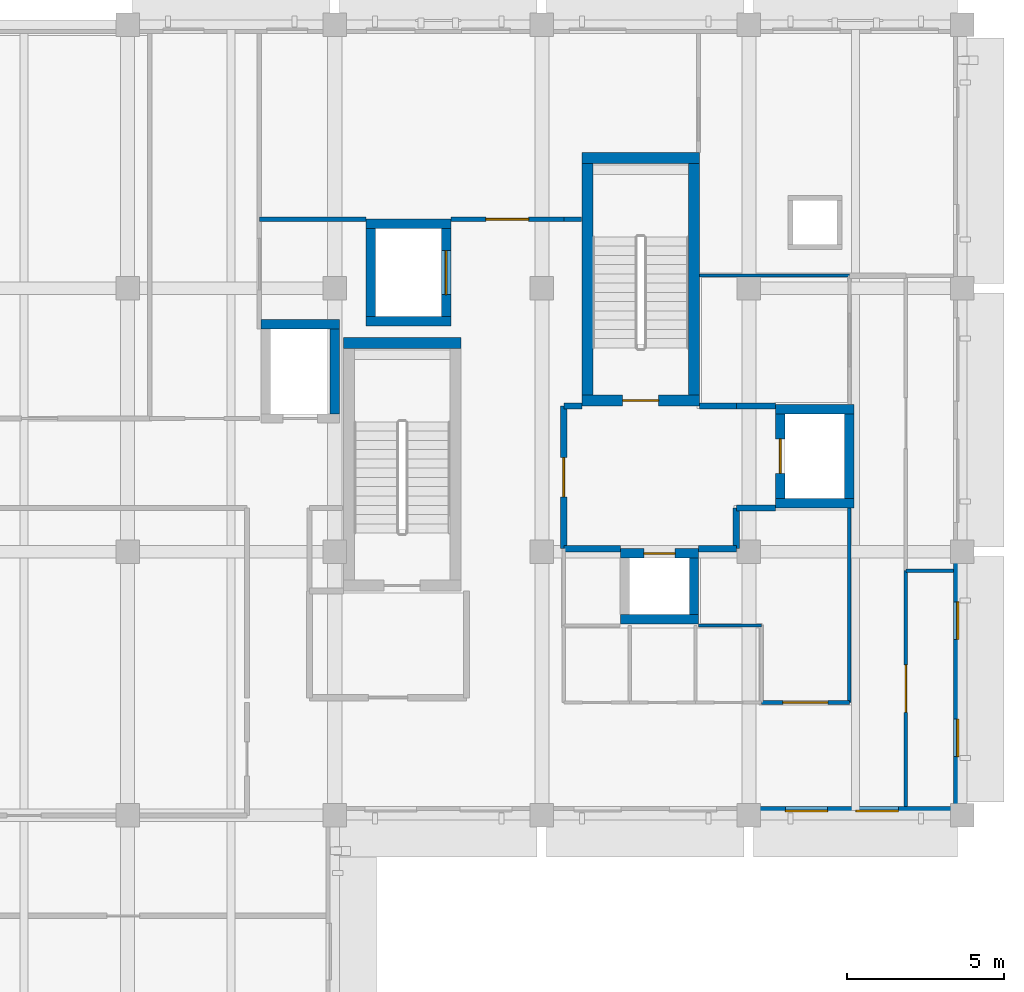
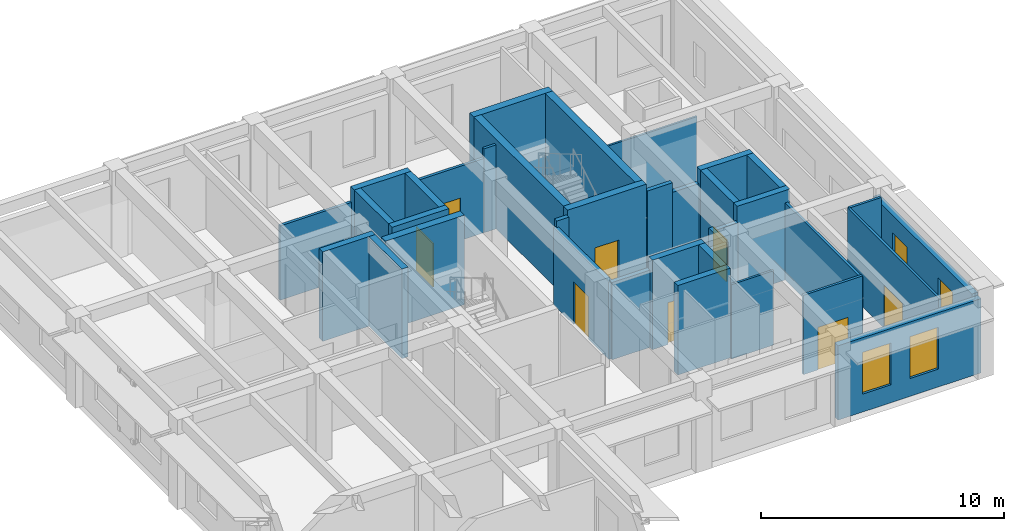
# One storey, part 12 of 20: 37 walls, 8 doors, 4 windows, 12 openings.
"""IFC4 building model written with IfcOpenShell, lengths in metres."""

from ifc_helpers import new_model, si_unit, direction, frame, frame_2d, origin, place, context, subcontext, project, spatial, rectangle, extrude, material, layer, layer_set, type_object, element, fill, save


model = new_model("IFC4")

# Units and contexts
model_context = context("Model", 3, precision=1e-05, world=origin(), true_north=direction((0.0, 1.0)))
body_context = subcontext(model_context, "Body", "Model", "MODEL_VIEW")
ifc_project = project(units=[si_unit("LENGTHUNIT", "METRE"), si_unit("AREAUNIT", "SQUARE_METRE"), si_unit("VOLUMEUNIT", "CUBIC_METRE"), si_unit("PLANEANGLEUNIT", "RADIAN"), si_unit("MASSUNIT", "GRAM", prefix="KILO")], contexts=[model_context])

# Site, building, storey
site_placement = place(None, origin())
site = spatial("IfcSite", under=ifc_project, at=site_placement, CompositionType="ELEMENT")
building_placement = place(site_placement, origin())
building = spatial("IfcBuilding", under=site, at=building_placement, Name="Kolvaren Faculty of Natural Sciences", CompositionType="ELEMENT")
storey_placement = place(building_placement, frame((0.0, 0.0, 24.0)))
storey = spatial("IfcBuildingStorey", under=building, at=storey_placement, Name="L05", CompositionType="ELEMENT", Elevation=24.0)

# Wall, opening, door
ifc_material_1 = material(Name="Concrete C40/50", Category="concrete")
ifc_layer_1 = layer(ifc_material_1, 0.35009765625)
ifc_layer_set_1 = layer_set([ifc_layer_1], Name="Concrete C40/50")
wall_type_1 = type_object("IfcWallType", Name="CoreShearWall_350", PredefinedType="SHEAR", material=ifc_layer_set_1)
wall_1_placement = place(storey_placement, frame((159.875, 72.22509765625, 0.0), z_axis=(0.0, 0.0, 1.0), x_axis=(1.0, 0.0, 0.0)))
wall_1 = element("IfcWall", 1, at=wall_1_placement, inside=storey, type_object=wall_type_1, Name="L05 CORE-C1 stair shear wall S", PredefinedType="SHEAR", context=body_context, shape_type="SweptSolid", body=[
    extrude(rectangle(XDim=3.75, YDim=0.35009765625, at=frame_2d((1.875, 0.0))), origin(), (0.0, 0.0, 1.0), 4.5),
])
opening_1_placement = place(wall_1_placement, frame((1.300048828125, 0.0, 0.0)))
opening_1 = element("IfcOpeningElement", 2, at=opening_1_placement, cuts=wall_1, Name="Opening FD90", PredefinedType="OPENING", context=body_context, shape_type="SweptSolid", body=[
    extrude(rectangle(XDim=1.14990234375, YDim=2.14990234375, at=frame_2d((0.574951171875, 1.074951171875))), frame((0.0, 0.18505859375, 0.0), z_axis=(0.0, -1.0, 0.0), x_axis=(1.0, 0.0, 0.0)), (0.0, 0.0, 1.0), 0.3701171875),
])
ifc_material_2 = material(Name="Fire-rated solid-core hardwood door leaf in steel frame", Category="steel")
door_type_1 = type_object("IfcDoorType", Name="StairCoreFireDoor_1150x2150", OperationType="NOTDEFINED", PredefinedType="DOOR", material=ifc_material_2)
door_1_placement = place(opening_1_placement, origin())
door_1 = element("IfcDoor", 3, at=door_1_placement, inside=storey, type_object=door_type_1, Name="D-ST-ST-1-L05", OperationType="SINGLE_SWING_LEFT", OverallHeight=2.14990234375, OverallWidth=1.14990234375, PredefinedType="DOOR", context=body_context, shape_type="SweptSolid", body=[
    extrude(rectangle(XDim=1.14990234375, YDim=2.14990234375, at=frame_2d((0.574951171875, 1.074951171875))), frame((0.0, 0.02490234375, 0.0), z_axis=(0.0, -1.0, 0.0), x_axis=(1.0, 0.0, 0.0)), (0.0, 0.0, 1.0), 0.050048828125),
])
fill(opening_1, door_1)

# Walls
wall_2_placement = place(storey_placement, frame((159.875, 79.949951171875, 0.0), z_axis=(0.0, 0.0, 1.0), x_axis=(1.0, 0.0, 0.0)))
element("IfcWall", 4, at=wall_2_placement, inside=storey, type_object=wall_type_1, Name="L05 CORE-C1 stair shear wall N", PredefinedType="SHEAR", context=body_context, shape_type="SweptSolid", body=[
    extrude(rectangle(XDim=3.75, YDim=0.35009765625, at=frame_2d((1.875, 0.0))), origin(), (0.0, 0.0, 1.0), 4.5),
])
for number, where, z_axis, x_axis, name in (
    (5, (160.050048828125, 72.39990234375, 0.0), (0.0, 0.0, 1.0), (0.0, 1.0, 0.0), "L05 CORE-C1 stair shear wall W"),
    (6, (163.449951171875, 72.39990234375, 0.0), (0.0, 0.0, 1.0), (0.0, 1.0, 0.0), "L05 CORE-C1 stair shear wall E"),
):
    element("IfcWall", number, at=place(storey_placement, frame(where, z_axis=z_axis, x_axis=x_axis)), inside=storey, type_object=wall_type_1, Name=name, PredefinedType="SHEAR", context=body_context, shape_type="SweptSolid", body=[
        extrude(rectangle(XDim=7.375, YDim=0.35009765625, at=frame_2d((3.6875, 0.0))), origin(), (0.0, 0.0, 1.0), 4.5),
    ])
wall_3_placement = place(storey_placement, frame((152.27490234375, 74.050048828125, 0.0), z_axis=(0.0, 0.0, 1.0), x_axis=(1.0, 0.0, 0.0)))
element("IfcWall", 7, at=wall_3_placement, inside=storey, type_object=wall_type_1, Name="L05 CORE-C2 stair shear wall N", PredefinedType="SHEAR", context=body_context, shape_type="SweptSolid", body=[
    extrude(rectangle(XDim=3.75, YDim=0.35009765625, at=frame_2d((1.875, 0.0))), origin(), (0.0, 0.0, 1.0), 4.5),
])
ifc_material_3 = material(Name="Acoustic mineral-wool insulated gypsum partition")
ifc_layer_2 = layer(ifc_material_3, 0.094970703125)
ifc_layer_set_2 = layer_set([ifc_layer_2], Name="Acoustic mineral-wool insulated gypsum partition")
wall_type_2 = type_object("IfcWallType", Name="CubiclePartition_095", PredefinedType="PARTITIONING", material=ifc_layer_set_2)
wall_4_placement = place(storey_placement, frame((163.626953125, 76.199951171875, 0.0), z_axis=(0.0, 0.0, 1.0), x_axis=(1.0, 0.0, 0.0)))
element("IfcWall", 8, at=wall_4_placement, inside=storey, type_object=wall_type_2, Name="L05 interior partition PW-095", PredefinedType="PARTITIONING", context=body_context, shape_type="SweptSolid", body=[
    extrude(rectangle(XDim=4.77294921875, YDim=0.094970703125, at=frame_2d((2.386474609375, 0.0))), origin(), (0.0, 0.0, 1.0), 3.735107421875),
])

# Wall, openings, windows
ifc_material_4 = material(Name="Precast concrete C35/45", Category="concrete")
ifc_layer_3 = layer(ifc_material_4, 0.280029296875)
ifc_layer_set_3 = layer_set([ifc_layer_3], Name="Precast concrete C35/45")
wall_type_3 = type_object("IfcWallType", Name="ExteriorPrecastWall_280", PredefinedType="STANDARD", material=ifc_layer_set_3)
wall_5_placement = place(storey_placement, frame((171.860107421875, 67.39990234375, 0.0), z_axis=(0.0, 0.0, 1.0), x_axis=(0.0, -1.0, 0.0)))
wall_5 = element("IfcWall", 9, at=wall_5_placement, inside=storey, type_object=wall_type_3, Name="L05 exterior masonry wall EW-280 (650)", PredefinedType="STANDARD", context=body_context, shape_type="SweptSolid", body=[
    extrude(rectangle(XDim=8.119873046875, YDim=0.280029296875, at=frame_2d((4.06005859375, 0.0))), origin(), (0.0, 0.0, 1.0), 3.885009765625),
])
opening_2_placement = place(wall_5_placement, frame((1.59228515625, 0.0, 0.89990234375)))
opening_2 = element("IfcOpeningElement", 10, at=opening_2_placement, cuts=wall_5, Name="Opening WIN-01", PredefinedType="OPENING", context=body_context, shape_type="SweptSolid", body=[
    extrude(rectangle(XDim=1.199951171875, YDim=2.10009765625, at=frame_2d((0.60009765625, 1.050048828125))), frame((0.0, 0.14990234375, 0.0), z_axis=(0.0, -1.0, 0.0), x_axis=(1.0, 0.0, 0.0)), (0.0, 0.0, 1.0), 0.300048828125),
])
opening_3_placement = place(wall_5_placement, frame((5.32763671875, 0.0, 0.89990234375)))
opening_3 = element("IfcOpeningElement", 11, at=opening_3_placement, cuts=wall_5, Name="Opening WIN-01", PredefinedType="OPENING", context=body_context, shape_type="SweptSolid", body=[
    extrude(rectangle(XDim=1.199951171875, YDim=2.10009765625, at=frame_2d((0.60009765625, 1.050048828125))), frame((0.0, 0.14990234375, 0.0), z_axis=(0.0, -1.0, 0.0), x_axis=(1.0, 0.0, 0.0)), (0.0, 0.0, 1.0), 0.300048828125),
])
ifc_material_5 = material(Name="Double low-E solar control insulated glazing", Category="glass")
window_type_1 = type_object("IfcWindowType", Name="AluWindow_WIN01_1200x2100", PartitioningType="SINGLE_PANEL", PredefinedType="WINDOW", material=ifc_material_5)
window_1_placement = place(opening_2_placement, origin())
window_1 = element("IfcWindow", 12, at=window_1_placement, inside=storey, type_object=window_type_1, Name="WIN-L05-0461", OverallHeight=2.10009765625, OverallWidth=1.199951171875, PartitioningType="SINGLE_PANEL", PredefinedType="WINDOW", context=body_context, shape_type="SweptSolid", body=[
    extrude(rectangle(XDim=1.199951171875, YDim=2.10009765625, at=frame_2d((0.60009765625, 1.050048828125))), frame((0.0, 0.030029296875, 0.0), z_axis=(0.0, -1.0, 0.0), x_axis=(1.0, 0.0, 0.0)), (0.0, 0.0, 1.0), 0.06005859375),
])
fill(opening_2, window_1)
window_2_placement = place(opening_3_placement, origin())
window_2 = element("IfcWindow", 13, at=window_2_placement, inside=storey, type_object=window_type_1, Name="WIN-L05-0462", OverallHeight=2.10009765625, OverallWidth=1.199951171875, PartitioningType="SINGLE_PANEL", PredefinedType="WINDOW", context=body_context, shape_type="SweptSolid", body=[
    extrude(rectangle(XDim=1.199951171875, YDim=2.10009765625, at=frame_2d((0.60009765625, 1.050048828125))), frame((0.0, 0.030029296875, 0.0), z_axis=(0.0, -1.0, 0.0), x_axis=(1.0, 0.0, 0.0)), (0.0, 0.0, 1.0), 0.06005859375),
])
fill(opening_3, window_2)

wall_6_placement = place(storey_placement, frame((172.0, 59.139892578125, 0.0), z_axis=(0.0, 0.0, 1.0), x_axis=(-1.0, 0.0, 0.0)))
wall_6 = element("IfcWall", 14, at=wall_6_placement, inside=storey, type_object=wall_type_3, Name="L05 exterior masonry wall EW-280 (651)", PredefinedType="STANDARD", context=body_context, shape_type="SweptSolid", body=[
    extrude(rectangle(XDim=6.800048828125, YDim=0.280029296875, at=frame_2d((3.39990234375, 0.0))), origin(), (0.0, 0.0, 1.0), 3.735107421875),
])
opening_4_placement = place(wall_6_placement, frame((2.0400390625, 0.0, 0.89990234375)))
opening_4 = element("IfcOpeningElement", 15, at=opening_4_placement, cuts=wall_6, Name="Opening WIN-02", PredefinedType="OPENING", context=body_context, shape_type="SweptSolid", body=[
    extrude(rectangle(XDim=1.35009765625, YDim=2.10009765625, at=frame_2d((0.675048828125, 1.050048828125))), frame((0.0, 0.14990234375, 0.0), z_axis=(0.0, -1.0, 0.0), x_axis=(1.0, 0.0, 0.0)), (0.0, 0.0, 1.0), 0.300048828125),
])
opening_5_placement = place(wall_6_placement, frame((4.2890625, 0.0, 0.89990234375)))
opening_5 = element("IfcOpeningElement", 16, at=opening_5_placement, cuts=wall_6, Name="Opening WIN-02", PredefinedType="OPENING", context=body_context, shape_type="SweptSolid", body=[
    extrude(rectangle(XDim=1.35009765625, YDim=2.10009765625, at=frame_2d((0.675048828125, 1.050048828125))), frame((0.0, 0.14990234375, 0.0), z_axis=(0.0, -1.0, 0.0), x_axis=(1.0, 0.0, 0.0)), (0.0, 0.0, 1.0), 0.300048828125),
])
window_type_2 = type_object("IfcWindowType", Name="AluWindow_WIN02_1350x2100", PartitioningType="SINGLE_PANEL", PredefinedType="WINDOW", material=ifc_material_5)
window_3_placement = place(opening_4_placement, origin())
window_3 = element("IfcWindow", 17, at=window_3_placement, inside=storey, type_object=window_type_2, Name="WIN-L05-0463", OverallHeight=2.10009765625, OverallWidth=1.35009765625, PartitioningType="SINGLE_PANEL", PredefinedType="WINDOW", context=body_context, shape_type="SweptSolid", body=[
    extrude(rectangle(XDim=1.35009765625, YDim=2.10009765625, at=frame_2d((0.675048828125, 1.050048828125))), frame((0.0, 0.030029296875, 0.0), z_axis=(0.0, -1.0, 0.0), x_axis=(1.0, 0.0, 0.0)), (0.0, 0.0, 1.0), 0.06005859375),
])
fill(opening_4, window_3)
window_4_placement = place(opening_5_placement, origin())
window_4 = element("IfcWindow", 18, at=window_4_placement, inside=storey, type_object=window_type_2, Name="WIN-L05-0464", OverallHeight=2.10009765625, OverallWidth=1.35009765625, PartitioningType="SINGLE_PANEL", PredefinedType="WINDOW", context=body_context, shape_type="SweptSolid", body=[
    extrude(rectangle(XDim=1.35009765625, YDim=2.10009765625, at=frame_2d((0.675048828125, 1.050048828125))), frame((0.0, 0.030029296875, 0.0), z_axis=(0.0, -1.0, 0.0), x_axis=(1.0, 0.0, 0.0)), (0.0, 0.0, 1.0), 0.06005859375),
])
fill(opening_5, window_4)

# Walls
ifc_material_6 = material(Name="Autoclaved aerated fire-rated masonry blockwork", Category="masonry")
ifc_layer_4 = layer(ifc_material_6, 0.199951171875)
ifc_layer_set_4 = layer_set([ifc_layer_4], Name="Autoclaved aerated fire-rated masonry blockwork")
wall_type_4 = type_object("IfcWallType", Name="FireLobbyWall_200", PredefinedType="PARTITIONING", material=ifc_layer_set_4)
wall_7_placement = place(storey_placement, frame((159.300048828125, 72.050048828125, 0.0), z_axis=(0.0, 0.0, 1.0), x_axis=(1.0, 0.0, 0.0)))
element("IfcWall", 19, at=wall_7_placement, inside=storey, type_object=wall_type_4, Name="L05 interior partition FW-200", PredefinedType="PARTITIONING", context=body_context, shape_type="SweptSolid", body=[
    extrude(rectangle(XDim=0.574951171875, YDim=0.199951171875, at=frame_2d((0.28759765625, 0.0))), origin(), (0.0, 0.0, 1.0), 4.215087890625),
])
wall_8_placement = place(storey_placement, frame((163.625, 72.050048828125, 0.0), z_axis=(0.0, 0.0, 1.0), x_axis=(1.0, 0.0, 0.0)))
element("IfcWall", 20, at=wall_8_placement, inside=storey, type_object=wall_type_4, Name="L05 interior partition FW-200", PredefinedType="PARTITIONING", context=body_context, shape_type="SweptSolid", body=[
    extrude(rectangle(XDim=1.175048828125, YDim=0.199951171875, at=frame_2d((0.58740234375, 0.0))), origin(), (0.0, 0.0, 1.0), 4.215087890625),
])
for number, where, z_axis, x_axis, name in (
    (21, (164.800048828125, 72.050048828125, 0.0), (0.0, 0.0, 1.0), (1.0, 0.0, 0.0), "L05 interior partition FW-200"),
    (22, (166.050048828125, 68.800048828125, 0.0), (0.0, 0.0, 1.0), (-1.0, 0.0, 0.0), "L05 interior partition FW-200"),
):
    element("IfcWall", number, at=place(storey_placement, frame(where, z_axis=z_axis, x_axis=x_axis)), inside=storey, type_object=wall_type_4, Name=name, PredefinedType="PARTITIONING", context=body_context, shape_type="SweptSolid", body=[
        extrude(rectangle(XDim=1.25, YDim=0.199951171875, at=frame_2d((0.625, 0.0))), origin(), (0.0, 0.0, 1.0), 3.735107421875),
    ])
wall_9_placement = place(storey_placement, frame((164.800048828125, 68.800048828125, 0.0), z_axis=(0.0, 0.0, 1.0), x_axis=(0.0, -1.0, 0.0)))
element("IfcWall", 23, at=wall_9_placement, inside=storey, type_object=wall_type_4, Name="L05 interior partition FW-200", PredefinedType="PARTITIONING", context=body_context, shape_type="SweptSolid", body=[
    extrude(rectangle(XDim=1.300048828125, YDim=0.199951171875, at=frame_2d((0.64990234375, 0.0))), origin(), (0.0, 0.0, 1.0), 3.885009765625),
])
wall_10_placement = place(storey_placement, frame((164.800048828125, 67.5, 0.0), z_axis=(0.0, 0.0, 1.0), x_axis=(-1.0, 0.0, 0.0)))
element("IfcWall", 24, at=wall_10_placement, inside=storey, type_object=wall_type_4, Name="L05 interior partition FW-200", PredefinedType="PARTITIONING", context=body_context, shape_type="SweptSolid", body=[
    extrude(rectangle(XDim=1.199951171875, YDim=0.199951171875, at=frame_2d((0.60009765625, 0.0))), origin(), (0.0, 0.0, 1.0), 3.885009765625),
])
wall_11_placement = place(storey_placement, frame((161.10009765625, 67.5, 0.0), z_axis=(0.0, 0.0, 1.0), x_axis=(-1.0, 0.0, 0.0)))
element("IfcWall", 25, at=wall_11_placement, inside=storey, type_object=wall_type_4, Name="L05 interior partition FW-200", PredefinedType="PARTITIONING", context=body_context, shape_type="SweptSolid", body=[
    extrude(rectangle(XDim=1.800048828125, YDim=0.199951171875, at=frame_2d((0.89990234375, 0.0))), origin(), (0.0, 0.0, 1.0), 3.885009765625),
])

# Wall, opening, door
wall_12_placement = place(storey_placement, frame((159.300048828125, 67.5, 0.0), z_axis=(0.0, 0.0, 1.0), x_axis=(0.0, 1.0, 0.0)))
wall_12 = element("IfcWall", 26, at=wall_12_placement, inside=storey, type_object=wall_type_4, Name="L05 interior partition FW-200", PredefinedType="PARTITIONING", context=body_context, shape_type="SweptSolid", body=[
    extrude(rectangle(XDim=4.550048828125, YDim=0.199951171875, at=frame_2d((2.27490234375, 0.0))), origin(), (0.0, 0.0, 1.0), 3.885009765625),
])
opening_6_placement = place(wall_12_placement, frame((1.64990234375, 0.0, 0.0)))
opening_6 = element("IfcOpeningElement", 27, at=opening_6_placement, cuts=wall_12, Name="Opening FD60", PredefinedType="OPENING", context=body_context, shape_type="SweptSolid", body=[
    extrude(rectangle(XDim=1.25, YDim=2.14990234375, at=frame_2d((0.625, 1.074951171875))), frame((0.0, 0.10986328125, 0.0), z_axis=(0.0, -1.0, 0.0), x_axis=(1.0, 0.0, 0.0)), (0.0, 0.0, 1.0), 0.219970703125),
])
door_type_2 = type_object("IfcDoorType", Name="RescueLobbyFireDoor_1250x2150", OperationType="NOTDEFINED", PredefinedType="DOOR", material=ifc_material_2)
door_2_placement = place(opening_6_placement, origin())
door_2 = element("IfcDoor", 28, at=door_2_placement, inside=storey, type_object=door_type_2, Name="D-L05-0299", OperationType="SINGLE_SWING_RIGHT", OverallHeight=2.14990234375, OverallWidth=1.25, PredefinedType="DOOR", context=body_context, shape_type="SweptSolid", body=[
    extrude(rectangle(XDim=1.25, YDim=2.14990234375, at=frame_2d((0.625, 1.074951171875))), frame((0.0, 0.02490234375, 0.0), z_axis=(0.0, -1.0, 0.0), x_axis=(1.0, 0.0, 0.0)), (0.0, 0.0, 1.0), 0.050048828125),
])
fill(opening_6, door_2)

# Walls
ifc_layer_5 = layer(ifc_material_3, 0.1298828125)
ifc_layer_set_5 = layer_set([ifc_layer_5], Name="Acoustic mineral-wool insulated gypsum partition")
wall_type_5 = type_object("IfcWallType", Name="OfficePartitionWall_130", PredefinedType="PARTITIONING", material=ifc_layer_set_5)
wall_13_placement = place(storey_placement, frame((153.0, 78.0, 0.0), z_axis=(0.0, 0.0, 1.0), x_axis=(-1.0, 0.0, 0.0)))
element("IfcWall", 29, at=wall_13_placement, inside=storey, type_object=wall_type_5, Name="L05 interior partition PW-130", PredefinedType="PARTITIONING", context=body_context, shape_type="SweptSolid", body=[
    extrude(rectangle(XDim=3.39990234375, YDim=0.1298828125, at=frame_2d((1.699951171875, 0.0))), origin(), (0.0, 0.0, 1.0), 3.735107421875),
])
wall_14_placement = place(storey_placement, frame((159.873046875, 78.0, 0.0), z_axis=(0.0, 0.0, 1.0), x_axis=(-1.0, 0.0, 0.0)))
element("IfcWall", 30, at=wall_14_placement, inside=storey, type_object=wall_type_5, Name="L05 interior partition PW-130", PredefinedType="PARTITIONING", context=body_context, shape_type="SweptSolid", body=[
    extrude(rectangle(XDim=0.572998046875, YDim=0.1298828125, at=frame_2d((0.28662109375, 0.0))), origin(), (0.0, 0.0, 1.0), 4.215087890625),
])

# Wall, opening, door
wall_15_placement = place(storey_placement, frame((159.300048828125, 78.0, 0.0), z_axis=(0.0, 0.0, 1.0), x_axis=(-1.0, 0.0, 0.0)))
wall_15 = element("IfcWall", 31, at=wall_15_placement, inside=storey, type_object=wall_type_5, Name="L05 interior partition PW-130", PredefinedType="PARTITIONING", context=body_context, shape_type="SweptSolid", body=[
    extrude(rectangle(XDim=3.60009765625, YDim=0.1298828125, at=frame_2d((1.800048828125, 0.0))), origin(), (0.0, 0.0, 1.0), 3.735107421875),
])
opening_7_placement = place(wall_15_placement, frame((1.1201171875, 0.0, 0.0)))
opening_7 = element("IfcOpeningElement", 32, at=opening_7_placement, cuts=wall_15, Name="Opening ID-26", PredefinedType="OPENING", context=body_context, shape_type="SweptSolid", body=[
    extrude(rectangle(XDim=1.360107421875, YDim=2.139892578125, at=frame_2d((0.68017578125, 1.06982421875))), frame((0.0, 0.074951171875, 0.0), z_axis=(0.0, -1.0, 0.0), x_axis=(1.0, 0.0, 0.0)), (0.0, 0.0, 1.0), 0.14990234375),
])
ifc_material_7 = material(Name="Thermally broken anodised aluminium glazed door", Category="aluminium")
door_type_3 = type_object("IfcDoorType", Name="InteriorRoomDoor_1360x2140", OperationType="DOUBLE_DOOR_SINGLE_SWING", PredefinedType="DOOR", material=ifc_material_7)
door_3_placement = place(opening_7_placement, origin())
door_3 = element("IfcDoor", 33, at=door_3_placement, inside=storey, type_object=door_type_3, Name="D-L05-0321", OperationType="DOUBLE_DOOR_SINGLE_SWING", OverallHeight=2.139892578125, OverallWidth=1.360107421875, PredefinedType="DOOR", context=body_context, shape_type="SweptSolid", body=[
    extrude(rectangle(XDim=1.360107421875, YDim=2.139892578125, at=frame_2d((0.68017578125, 1.06982421875))), frame((0.0, 0.02490234375, 0.0), z_axis=(0.0, -1.0, 0.0), x_axis=(1.0, 0.0, 0.0)), (0.0, 0.0, 1.0), 0.050048828125),
])
fill(opening_7, door_3)

# Walls
ifc_layer_6 = layer(ifc_material_1, 0.300048828125)
ifc_layer_set_6 = layer_set([ifc_layer_6], Name="Concrete C40/50")
wall_type_6 = type_object("IfcWallType", Name="ShaftShearWall_300", PredefinedType="SHEAR", material=ifc_layer_set_6)
for number, where, z_axis, x_axis, name in (
    (34, (166.050048828125, 68.949951171875, 0.0), (0.0, 0.0, 1.0), (1.0, 0.0, 0.0), "L05 lift FL-1 shaft wall S"),
    (35, (166.050048828125, 71.949951171875, 0.0), (0.0, 0.0, 1.0), (1.0, 0.0, 0.0), "L05 lift FL-1 shaft wall N"),
):
    element("IfcWall", number, at=place(storey_placement, frame(where, z_axis=z_axis, x_axis=x_axis)), inside=storey, type_object=wall_type_6, Name=name, PredefinedType="SHEAR", context=body_context, shape_type="SweptSolid", body=[
        extrude(rectangle(XDim=2.5, YDim=0.300048828125, at=frame_2d((1.25, 0.0))), origin(), (0.0, 0.0, 1.0), 4.5),
    ])

# Wall, opening, door
wall_16_placement = place(storey_placement, frame((166.199951171875, 69.10009765625, 0.0), z_axis=(0.0, 0.0, 1.0), x_axis=(0.0, 1.0, 0.0)))
wall_16 = element("IfcWall", 36, at=wall_16_placement, inside=storey, type_object=wall_type_6, Name="L05 lift FL-1 shaft wall W", PredefinedType="SHEAR", context=body_context, shape_type="SweptSolid", body=[
    extrude(rectangle(XDim=2.699951171875, YDim=0.300048828125, at=frame_2d((1.35009765625, 0.0))), origin(), (0.0, 0.0, 1.0), 4.5),
])
opening_8_placement = place(wall_16_placement, frame((0.800048828125, 0.0, 0.0)))
opening_8 = element("IfcOpeningElement", 37, at=opening_8_placement, cuts=wall_16, Name="Opening LD-01", PredefinedType="OPENING", context=body_context, shape_type="SweptSolid", body=[
    extrude(rectangle(XDim=1.10009765625, YDim=2.10009765625, at=frame_2d((0.550048828125, 1.050048828125))), frame((0.0, 0.159912109375, 0.0), z_axis=(0.0, -1.0, 0.0), x_axis=(1.0, 0.0, 0.0)), (0.0, 0.0, 1.0), 0.320068359375),
])
ifc_material_8 = material(Name="Brushed stainless steel lift car and sliding door assembly", Category="steel")
door_type_4 = type_object("IfcDoorType", Name="LiftLandingSliding_1100x2100", OperationType="DOUBLE_DOOR_SLIDING", PredefinedType="DOOR", material=ifc_material_8)
door_4_placement = place(opening_8_placement, origin())
door_4 = element("IfcDoor", 38, at=door_4_placement, inside=storey, type_object=door_type_4, Name="D-LIFT-FL-1-L05", OperationType="DOUBLE_DOOR_SLIDING", OverallHeight=2.10009765625, OverallWidth=1.10009765625, PredefinedType="DOOR", context=body_context, shape_type="SweptSolid", body=[
    extrude(rectangle(XDim=1.10009765625, YDim=2.10009765625, at=frame_2d((0.550048828125, 1.050048828125))), frame((0.0, 0.02490234375, 0.0), z_axis=(0.0, -1.0, 0.0), x_axis=(1.0, 0.0, 0.0)), (0.0, 0.0, 1.0), 0.050048828125),
])
fill(opening_8, door_4)

# Walls
wall_17_placement = place(storey_placement, frame((168.39990234375, 69.10009765625, 0.0), z_axis=(0.0, 0.0, 1.0), x_axis=(0.0, 1.0, 0.0)))
element("IfcWall", 39, at=wall_17_placement, inside=storey, type_object=wall_type_6, Name="L05 lift FL-1 shaft wall E", PredefinedType="SHEAR", context=body_context, shape_type="SweptSolid", body=[
    extrude(rectangle(XDim=2.699951171875, YDim=0.300048828125, at=frame_2d((1.35009765625, 0.0))), origin(), (0.0, 0.0, 1.0), 4.5),
])
wall_18_placement = place(storey_placement, frame((161.10009765625, 65.25, 0.0), z_axis=(0.0, 0.0, 1.0), x_axis=(1.0, 0.0, 0.0)))
element("IfcWall", 40, at=wall_18_placement, inside=storey, type_object=wall_type_6, Name="L05 lift PL-1 shaft wall S", PredefinedType="SHEAR", context=body_context, shape_type="SweptSolid", body=[
    extrude(rectangle(XDim=2.5, YDim=0.300048828125, at=frame_2d((1.25, 0.0))), origin(), (0.0, 0.0, 1.0), 4.5),
])

# Wall, opening, door
wall_19_placement = place(storey_placement, frame((161.10009765625, 67.35009765625, 0.0), z_axis=(0.0, 0.0, 1.0), x_axis=(1.0, 0.0, 0.0)))
wall_19 = element("IfcWall", 41, at=wall_19_placement, inside=storey, type_object=wall_type_6, Name="L05 lift PL-1 shaft wall N", PredefinedType="SHEAR", context=body_context, shape_type="SweptSolid", body=[
    extrude(rectangle(XDim=2.5, YDim=0.300048828125, at=frame_2d((1.25, 0.0))), origin(), (0.0, 0.0, 1.0), 4.5),
])
opening_9_placement = place(wall_19_placement, frame((0.75, 0.0, 0.0)))
opening_9 = element("IfcOpeningElement", 42, at=opening_9_placement, cuts=wall_19, Name="Opening LD-02", PredefinedType="OPENING", context=body_context, shape_type="SweptSolid", body=[
    extrude(rectangle(XDim=1.0, YDim=2.10009765625, at=frame_2d((0.5, 1.050048828125))), frame((0.0, 0.159912109375, 0.0), z_axis=(0.0, -1.0, 0.0), x_axis=(1.0, 0.0, 0.0)), (0.0, 0.0, 1.0), 0.320068359375),
])
door_type_5 = type_object("IfcDoorType", Name="LiftLandingSliding_1000x2100", OperationType="SLIDING_TO_LEFT", PredefinedType="DOOR", material=ifc_material_8)
door_5_placement = place(opening_9_placement, origin())
door_5 = element("IfcDoor", 43, at=door_5_placement, inside=storey, type_object=door_type_5, Name="D-LIFT-PL-1-L05", OperationType="SLIDING_TO_LEFT", OverallHeight=2.10009765625, OverallWidth=1.0, PredefinedType="DOOR", context=body_context, shape_type="SweptSolid", body=[
    extrude(rectangle(XDim=1.0, YDim=2.10009765625, at=frame_2d((0.5, 1.050048828125))), frame((0.0, 0.02490234375, 0.0), z_axis=(0.0, -1.0, 0.0), x_axis=(1.0, 0.0, 0.0)), (0.0, 0.0, 1.0), 0.050048828125),
])
fill(opening_9, door_5)

# Walls
wall_20_placement = place(storey_placement, frame((163.449951171875, 65.39990234375, 0.0), z_axis=(0.0, 0.0, 1.0), x_axis=(0.0, 1.0, 0.0)))
element("IfcWall", 44, at=wall_20_placement, inside=storey, type_object=wall_type_6, Name="L05 lift PL-1 shaft wall E", PredefinedType="SHEAR", context=body_context, shape_type="SweptSolid", body=[
    extrude(rectangle(XDim=1.800048828125, YDim=0.300048828125, at=frame_2d((0.89990234375, 0.0))), origin(), (0.0, 0.0, 1.0), 4.5),
])
wall_21_placement = place(storey_placement, frame((149.64990234375, 74.64990234375, 0.0), z_axis=(0.0, 0.0, 1.0), x_axis=(1.0, 0.0, 0.0)))
element("IfcWall", 45, at=wall_21_placement, inside=storey, type_object=wall_type_6, Name="L05 lift FL-2 shaft wall N", PredefinedType="SHEAR", context=body_context, shape_type="SweptSolid", body=[
    extrude(rectangle(XDim=2.5, YDim=0.300048828125, at=frame_2d((1.25, 0.0))), origin(), (0.0, 0.0, 1.0), 4.5),
])
for number, where, z_axis, x_axis, name in (
    (46, (152.0, 71.800048828125, 0.0), (0.0, 0.0, 1.0), (0.0, 1.0, 0.0), "L05 lift FL-2 shaft wall E"),
    (47, (153.0, 74.75, 0.0), (0.0, 0.0, 1.0), (1.0, 0.0, 0.0), "L05 lift GL-2 shaft wall S"),
    (48, (153.0, 77.85009765625, 0.0), (0.0, 0.0, 1.0), (1.0, 0.0, 0.0), "L05 lift GL-2 shaft wall N"),
):
    element("IfcWall", number, at=place(storey_placement, frame(where, z_axis=z_axis, x_axis=x_axis)), inside=storey, type_object=wall_type_6, Name=name, PredefinedType="SHEAR", context=body_context, shape_type="SweptSolid", body=[
        extrude(rectangle(XDim=2.699951171875, YDim=0.300048828125, at=frame_2d((1.35009765625, 0.0))), origin(), (0.0, 0.0, 1.0), 4.5),
    ])
wall_22_placement = place(storey_placement, frame((153.14990234375, 74.89990234375, 0.0), z_axis=(0.0, 0.0, 1.0), x_axis=(0.0, 1.0, 0.0)))
element("IfcWall", 49, at=wall_22_placement, inside=storey, type_object=wall_type_6, Name="L05 lift GL-2 shaft wall W", PredefinedType="SHEAR", context=body_context, shape_type="SweptSolid", body=[
    extrude(rectangle(XDim=2.800048828125, YDim=0.300048828125, at=frame_2d((1.39990234375, 0.0))), origin(), (0.0, 0.0, 1.0), 4.5),
])

# Wall, opening, door
wall_23_placement = place(storey_placement, frame((155.550048828125, 74.89990234375, 0.0), z_axis=(0.0, 0.0, 1.0), x_axis=(0.0, 1.0, 0.0)))
wall_23 = element("IfcWall", 50, at=wall_23_placement, inside=storey, type_object=wall_type_6, Name="L05 lift GL-2 shaft wall E", PredefinedType="SHEAR", context=body_context, shape_type="SweptSolid", body=[
    extrude(rectangle(XDim=2.800048828125, YDim=0.300048828125, at=frame_2d((1.39990234375, 0.0))), origin(), (0.0, 0.0, 1.0), 4.5),
])
opening_10_placement = place(wall_23_placement, frame((0.699951171875, 0.0, 0.0)))
opening_10 = element("IfcOpeningElement", 51, at=opening_10_placement, cuts=wall_23, Name="Opening LD-03", PredefinedType="OPENING", context=body_context, shape_type="SweptSolid", body=[
    extrude(rectangle(XDim=1.39990234375, YDim=2.199951171875, at=frame_2d((0.699951171875, 1.10009765625))), frame((0.0, 0.159912109375, 0.0), z_axis=(0.0, -1.0, 0.0), x_axis=(1.0, 0.0, 0.0)), (0.0, 0.0, 1.0), 0.320068359375),
])
door_type_6 = type_object("IfcDoorType", Name="GoodsLiftSliding_1400x2200", OperationType="DOUBLE_DOOR_SLIDING", PredefinedType="DOOR", material=ifc_material_8)
door_6_placement = place(opening_10_placement, origin())
door_6 = element("IfcDoor", 52, at=door_6_placement, inside=storey, type_object=door_type_6, Name="D-LIFT-GL-2-L05", OperationType="DOUBLE_DOOR_SLIDING", OverallHeight=2.199951171875, OverallWidth=1.39990234375, PredefinedType="DOOR", context=body_context, shape_type="SweptSolid", body=[
    extrude(rectangle(XDim=1.39990234375, YDim=2.199951171875, at=frame_2d((0.699951171875, 1.10009765625))), frame((0.0, 0.02490234375, 0.0), z_axis=(0.0, -1.0, 0.0), x_axis=(1.0, 0.0, 0.0)), (0.0, 0.0, 1.0), 0.050048828125),
])
fill(opening_10, door_6)

ifc_layer_7 = layer(ifc_material_3, 0.114990234375)
ifc_layer_set_7 = layer_set([ifc_layer_7], Name="Acoustic mineral-wool insulated gypsum partition")
wall_type_7 = type_object("IfcWallType", Name="StorePartitionWall_115", PredefinedType="PARTITIONING", material=ifc_layer_set_7)
wall_24_placement = place(storey_placement, frame((170.199951171875, 59.281982421875, 0.0), z_axis=(0.0, 0.0, 1.0), x_axis=(0.0, 1.0, 0.0)))
wall_24 = element("IfcWall", 53, at=wall_24_placement, inside=storey, type_object=wall_type_7, Name="L05 interior partition PW-115", PredefinedType="PARTITIONING", context=body_context, shape_type="SweptSolid", body=[
    extrude(rectangle(XDim=7.51806640625, YDim=0.114990234375, at=frame_2d((3.759033203125, 0.0))), origin(), (0.0, 0.0, 1.0), 4.215087890625),
])
opening_11_placement = place(wall_24_placement, frame((2.9990234375, 0.0, 0.0)))
opening_11 = element("IfcOpeningElement", 54, at=opening_11_placement, cuts=wall_24, Name="Opening ID-28", PredefinedType="OPENING", context=body_context, shape_type="SweptSolid", body=[
    extrude(rectangle(XDim=1.52001953125, YDim=2.139892578125, at=frame_2d((0.760009765625, 1.06982421875))), frame((0.0, 0.0673828125, 0.0), z_axis=(0.0, -1.0, 0.0), x_axis=(1.0, 0.0, 0.0)), (0.0, 0.0, 1.0), 0.135009765625),
])
door_type_7 = type_object("IfcDoorType", Name="InteriorRoomDoor_1520x2140", OperationType="DOUBLE_DOOR_SINGLE_SWING", PredefinedType="DOOR", material=ifc_material_7)
door_7_placement = place(opening_11_placement, origin())
door_7 = element("IfcDoor", 55, at=door_7_placement, inside=storey, type_object=door_type_7, Name="D-L05-0323", OperationType="DOUBLE_DOOR_SINGLE_SWING", OverallHeight=2.139892578125, OverallWidth=1.52001953125, PredefinedType="DOOR", context=body_context, shape_type="SweptSolid", body=[
    extrude(rectangle(XDim=1.52001953125, YDim=2.139892578125, at=frame_2d((0.760009765625, 1.06982421875))), frame((0.0, 0.02490234375, 0.0), z_axis=(0.0, -1.0, 0.0), x_axis=(1.0, 0.0, 0.0)), (0.0, 0.0, 1.0), 0.050048828125),
])
fill(opening_11, door_7)

# Walls
wall_25_placement = place(storey_placement, frame((170.199951171875, 66.800048828125, 0.0), z_axis=(0.0, 0.0, 1.0), x_axis=(1.0, 0.0, 0.0)))
element("IfcWall", 56, at=wall_25_placement, inside=storey, type_object=wall_type_7, Name="L05 interior partition PW-115", PredefinedType="PARTITIONING", context=body_context, shape_type="SweptSolid", body=[
    extrude(rectangle(XDim=1.51806640625, YDim=0.114990234375, at=frame_2d((0.759033203125, 0.0))), origin(), (0.0, 0.0, 1.0), 4.215087890625),
])
ifc_layer_8 = layer(ifc_material_3, 0.1201171875)
ifc_layer_set_8 = layer_set([ifc_layer_8], Name="Acoustic mineral-wool insulated gypsum partition")
wall_type_8 = type_object("IfcWallType", Name="StudioPartitionWall_120", PredefinedType="PARTITIONING", material=ifc_layer_set_8)
wall_26_placement = place(storey_placement, frame((168.39990234375, 68.798095703125, 0.0), z_axis=(0.0, 0.0, 1.0), x_axis=(0.0, -1.0, 0.0)))
element("IfcWall", 57, at=wall_26_placement, inside=storey, type_object=wall_type_8, Name="L05 interior partition PW-120", PredefinedType="PARTITIONING", context=body_context, shape_type="SweptSolid", body=[
    extrude(rectangle(XDim=6.197998046875, YDim=0.1201171875, at=frame_2d((3.09912109375, 0.0))), origin(), (0.0, 0.0, 1.0), 3.885009765625),
])

# Wall, opening, door
wall_27_placement = place(storey_placement, frame((168.39990234375, 62.60009765625, 0.0), z_axis=(0.0, 0.0, 1.0), x_axis=(-1.0, 0.0, 0.0)))
wall_27 = element("IfcWall", 58, at=wall_27_placement, inside=storey, type_object=wall_type_8, Name="L05 interior partition PW-120", PredefinedType="PARTITIONING", context=body_context, shape_type="SweptSolid", body=[
    extrude(rectangle(XDim=2.7998046875, YDim=0.1201171875, at=frame_2d((1.39990234375, 0.0))), origin(), (0.0, 0.0, 1.0), 3.985107421875),
])
opening_12_placement = place(wall_27_placement, frame((0.679931640625, 0.0, 0.0)))
opening_12 = element("IfcOpeningElement", 59, at=opening_12_placement, cuts=wall_27, Name="Opening ID-27", PredefinedType="OPENING", context=body_context, shape_type="SweptSolid", body=[
    extrude(rectangle(XDim=1.43994140625, YDim=2.139892578125, at=frame_2d((0.719970703125, 1.06982421875))), frame((0.0, 0.070068359375, 0.0), z_axis=(0.0, -1.0, 0.0), x_axis=(1.0, 0.0, 0.0)), (0.0, 0.0, 1.0), 0.14013671875),
])
door_type_8 = type_object("IfcDoorType", Name="InteriorRoomDoor_1440x2140", OperationType="DOUBLE_DOOR_SINGLE_SWING", PredefinedType="DOOR", material=ifc_material_7)
door_8_placement = place(opening_12_placement, origin())
door_8 = element("IfcDoor", 60, at=door_8_placement, inside=storey, type_object=door_type_8, Name="D-L05-0322", OperationType="DOUBLE_DOOR_SINGLE_SWING", OverallHeight=2.139892578125, OverallWidth=1.43994140625, PredefinedType="DOOR", context=body_context, shape_type="SweptSolid", body=[
    extrude(rectangle(XDim=1.43994140625, YDim=2.139892578125, at=frame_2d((0.719970703125, 1.06982421875))), frame((0.0, 0.02490234375, 0.0), z_axis=(0.0, -1.0, 0.0), x_axis=(1.0, 0.0, 0.0)), (0.0, 0.0, 1.0), 0.050048828125),
])
fill(opening_12, door_8)

# Wall
ifc_layer_9 = layer(ifc_material_3, 0.10498046875)
ifc_layer_set_9 = layer_set([ifc_layer_9], Name="Acoustic mineral-wool insulated gypsum partition")
wall_type_9 = type_object("IfcWallType", Name="WetRoomPartition_105", PredefinedType="PARTITIONING", material=ifc_layer_set_9)
wall_28_placement = place(storey_placement, frame((163.60009765625, 65.050048828125, 0.0), z_axis=(0.0, 0.0, 1.0), x_axis=(1.0, 0.0, 0.0)))
element("IfcWall", 61, at=wall_28_placement, inside=storey, type_object=wall_type_9, Name="L05 interior partition PW-105", PredefinedType="PARTITIONING", context=body_context, shape_type="SweptSolid", body=[
    extrude(rectangle(XDim=2.0, YDim=0.10498046875, at=frame_2d((1.0, 0.0))), origin(), (0.0, 0.0, 1.0), 3.735107421875),
])

save(model, "model.ifc")
